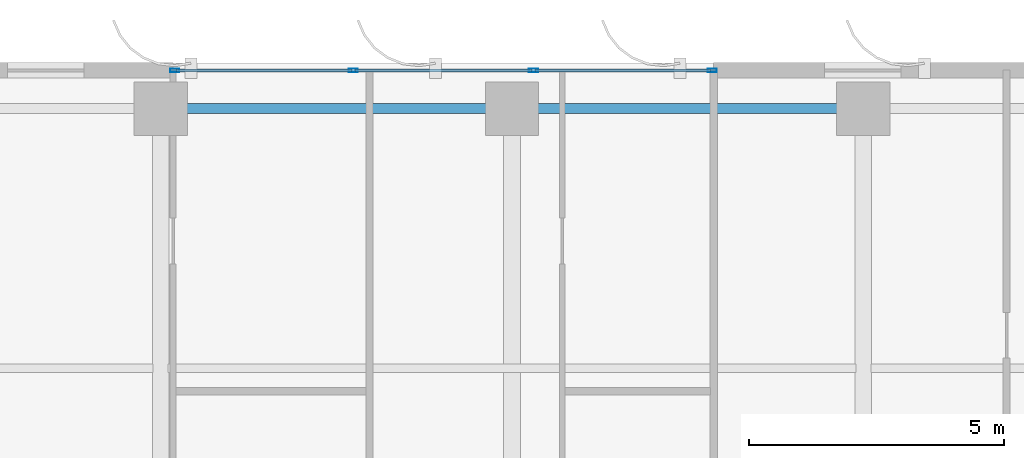
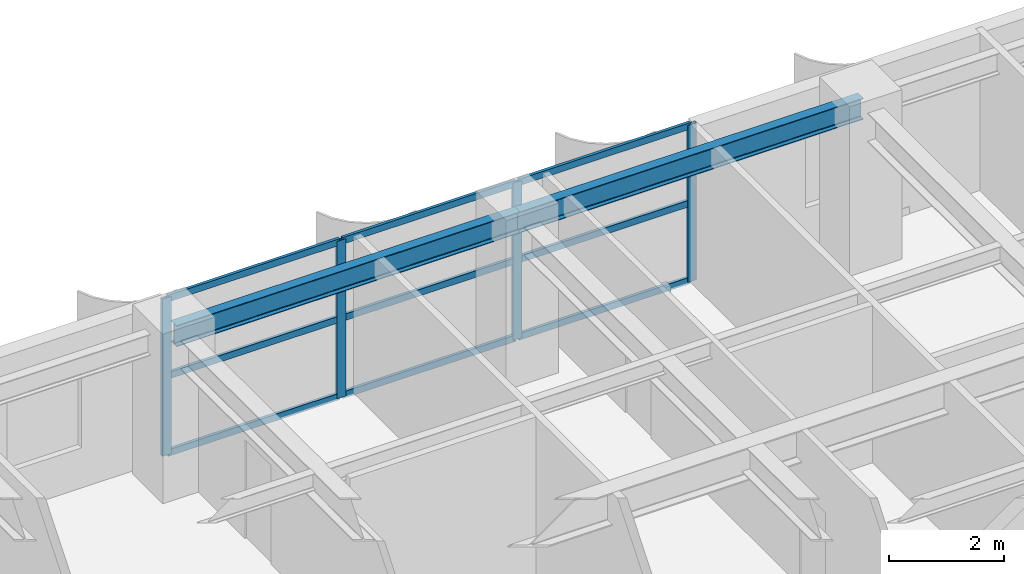
# One storey, part 10 of 19: 13 members, 2 beams, 1 element without a shape of its own.
"""IFC4 building model written with IfcOpenShell, lengths in metres."""

from ifc_helpers import new_model, si_unit, direction, frame, origin, origin_2d, place, context, subcontext, project, spatial, hollow_rectangle, i_section, extrude, source, transform, mapped, material, layer, layer_set, material_profile, profile_set, type_object, element, aggregate, save


model = new_model("IFC4")

# Units and contexts
model_context = context("Model", 3, precision=1e-05, world=origin(), true_north=direction((0.0, 1.0)))
body_context = subcontext(model_context, "Body", "Model", "MODEL_VIEW")
ifc_project = project(units=[si_unit("LENGTHUNIT", "METRE"), si_unit("AREAUNIT", "SQUARE_METRE"), si_unit("VOLUMEUNIT", "CUBIC_METRE"), si_unit("PLANEANGLEUNIT", "RADIAN"), si_unit("MASSUNIT", "GRAM", prefix="KILO")], contexts=[model_context])

# Site, building, storey
site_placement = place(None, origin())
site = spatial("IfcSite", under=ifc_project, at=site_placement, CompositionType="ELEMENT")
building_placement = place(site_placement, origin())
building = spatial("IfcBuilding", under=site, at=building_placement, Name="Khoralis Quay Care Tower", CompositionType="ELEMENT")
storey_placement = place(building_placement, frame((0.0, 0.0, 90.89990234375)))
storey = spatial("IfcBuildingStorey", under=building, at=storey_placement, Name="L23", CompositionType="ELEMENT", Elevation=90.89990234375)

# Beams
ifc_material_1 = material(Name="Steel S355", Category="steel")
ifc_material_profile_1 = material_profile(ifc_material_1, i_section(OverallWidth=0.18994140625, OverallDepth=0.449951171875, WebThickness=0.009521484375, FlangeThickness=0.0146484375, FilletRadius=0.02099609375, at=origin_2d()), Name="Steel S355")
ifc_profile_set_1 = profile_set([ifc_material_profile_1], Name="Steel S355")
beam_type = type_object("IfcBeamType", Name="BM-IPE450", PredefinedType="SPANDREL", material=ifc_profile_set_1)
shared_shape_1 = source(origin(), body_context, "Body", "SweptSolid", [
    extrude(i_section(OverallWidth=0.18994140625, OverallDepth=0.449951171875, WebThickness=0.009521484375, FlangeThickness=0.0146484375, FilletRadius=0.02099609375, at=origin_2d()), origin(), (0.0, 0.0, 1.0), 6.89990234375),
])
for number, where, z_axis, x_axis, name in (
    (1, (17.10009765625, 44.10009765625, 3.114990234375), (1.0, 0.0, 0.0), (0.0, 1.0, 0.0), "BM-TSP-L23-08"),
    (2, (24.0, 44.10009765625, 3.114990234375), (1.0, 0.0, 0.0), (0.0, 1.0, 0.0), "BM-TSP-L23-09"),
):
    element("IfcBeam", number, at=place(storey_placement, frame(where, z_axis=z_axis, x_axis=x_axis)), inside=storey, type_object=beam_type, Name=name, PredefinedType="SPANDREL", context=body_context, shape_type="MappedRepresentation", body=[
        mapped(shared_shape_1, transform((0.0, 0.0, 0.0), scale=1.0)),
    ])

# Curtain wall, members
ifc_material_2 = material(Name="Pale anodised aluminium", Category="aluminium")
ifc_layer = layer(ifc_material_2, 0.169921875)
ifc_layer_set = layer_set([ifc_layer], Name="Pale anodised aluminium")
curtain_wall_type = type_object("IfcCurtainWallType", Name="CW-SYS-Z2", PredefinedType="NOTDEFINED", material=ifc_layer_set)
curtain_wall_placement = place(storey_placement, origin())
curtain_wall = element("IfcCurtainWall", 3, at=curtain_wall_placement, inside=storey, type_object=curtain_wall_type, Name="L23 Unitised Curtain Wall CW-L23-P1-E10", PredefinedType="NOTDEFINED")
ifc_material_profile_2 = material_profile(ifc_material_2, hollow_rectangle(XDim=0.06494140625, YDim=0.179931640625, WallThickness=0.00390625, at=origin_2d()), Name="Pale anodised aluminium")
ifc_profile_set_2 = profile_set([ifc_material_profile_2], Name="Pale anodised aluminium")
member_type_1 = type_object("IfcMemberType", Name="CW-MUL-180", PredefinedType="MULLION", material=ifc_profile_set_2)
shared_shape_2 = source(origin(), body_context, "Body", "SweptSolid", [
    extrude(hollow_rectangle(XDim=0.06494140625, YDim=0.179931640625, WallThickness=0.00390625, at=origin_2d()), origin(), (0.0, 0.0, 1.0), 3.340087890625),
])
member_1_placement = place(storey_placement, frame((27.929931640625, 44.85009765625, 0.0), z_axis=(0.0, 0.0, 1.0), x_axis=(0.0, -1.0, 0.0)))
member_1 = element("IfcMember", 4, at=member_1_placement, type_object=member_type_1, Name="CW2 mullion 1", PredefinedType="MULLION", context=body_context, shape_type="MappedRepresentation", body=[
    mapped(shared_shape_2, transform((0.0, 0.0, 0.0), scale=1.0)),
])
member_2_placement = place(storey_placement, frame((24.422119140625, 44.85009765625, 0.0), z_axis=(0.0, 0.0, 1.0), x_axis=(0.0, -1.0, 0.0)))
member_2 = element("IfcMember", 5, at=member_2_placement, type_object=member_type_1, Name="CW2 mullion 2", PredefinedType="MULLION", context=body_context, shape_type="MappedRepresentation", body=[
    mapped(shared_shape_2, transform((0.0, 0.0, 0.0), scale=1.0)),
])
member_3_placement = place(storey_placement, frame((20.884033203125, 44.85009765625, 0.0), z_axis=(0.0, 0.0, 1.0), x_axis=(0.0, -1.0, 0.0)))
member_3 = element("IfcMember", 6, at=member_3_placement, type_object=member_type_1, Name="CW2 mullion 3", PredefinedType="MULLION", context=body_context, shape_type="MappedRepresentation", body=[
    mapped(shared_shape_2, transform((0.0, 0.0, 0.0), scale=1.0)),
])
member_4_placement = place(storey_placement, frame((17.3759765625, 44.85009765625, 0.0), z_axis=(0.0, 0.0, 1.0), x_axis=(0.0, -1.0, 0.0)))
member_4 = element("IfcMember", 7, at=member_4_placement, type_object=member_type_1, Name="CW2 mullion 4", PredefinedType="MULLION", context=body_context, shape_type="MappedRepresentation", body=[
    mapped(shared_shape_2, transform((0.0, 0.0, 0.0), scale=1.0)),
])
ifc_material_profile_3 = material_profile(ifc_material_2, hollow_rectangle(XDim=0.06005859375, YDim=0.139892578125, WallThickness=0.00390625, at=origin_2d()), Name="Pale anodised aluminium")
ifc_profile_set_3 = profile_set([ifc_material_profile_3], Name="Pale anodised aluminium")
member_type_2 = type_object("IfcMemberType", Name="CW-TRN-140", PredefinedType="USERDEFINED", material=ifc_profile_set_3)
shared_shape_3 = source(origin(), body_context, "Body", "SweptSolid", [
    extrude(hollow_rectangle(XDim=0.06005859375, YDim=0.139892578125, WallThickness=0.00390625, at=origin_2d()), origin(), (0.0, 0.0, 1.0), 3.447998046875),
])
member_5_placement = place(storey_placement, frame((27.89990234375, 44.85009765625, 0.030029296875), z_axis=(-1.0, 0.0, 0.0), x_axis=(0.0, -1.0, 0.0)))
member_5 = element("IfcMember", 8, at=member_5_placement, type_object=member_type_2, Name="CW2 transom 1.1", ObjectType="TRANSOM", PredefinedType="USERDEFINED", context=body_context, shape_type="MappedRepresentation", body=[
    mapped(shared_shape_3, transform((0.0, 0.0, 0.0), scale=1.0)),
])
member_6_placement = place(storey_placement, frame((27.89990234375, 44.85009765625, 1.670166015625), z_axis=(-1.0, 0.0, 0.0), x_axis=(0.0, -1.0, 0.0)))
member_6 = element("IfcMember", 9, at=member_6_placement, type_object=member_type_2, Name="CW2 transom 1.2", ObjectType="TRANSOM", PredefinedType="USERDEFINED", context=body_context, shape_type="MappedRepresentation", body=[
    mapped(shared_shape_3, transform((0.0, 0.0, 0.0), scale=1.0)),
])
member_7_placement = place(storey_placement, frame((27.89990234375, 44.85009765625, 3.31005859375), z_axis=(-1.0, 0.0, 0.0), x_axis=(0.0, -1.0, 0.0)))
member_7 = element("IfcMember", 10, at=member_7_placement, type_object=member_type_2, Name="CW2 transom 1.3", ObjectType="TRANSOM", PredefinedType="USERDEFINED", context=body_context, shape_type="MappedRepresentation", body=[
    mapped(shared_shape_3, transform((0.0, 0.0, 0.0), scale=1.0)),
])
member_8_placement = place(storey_placement, frame((20.85400390625, 44.85009765625, 0.030029296875), z_axis=(-1.0, 0.0, 0.0), x_axis=(0.0, -1.0, 0.0)))
member_8 = element("IfcMember", 11, at=member_8_placement, type_object=member_type_2, Name="CW2 transom 3.1", ObjectType="TRANSOM", PredefinedType="USERDEFINED", context=body_context, shape_type="MappedRepresentation", body=[
    mapped(shared_shape_3, transform((0.0, 0.0, 0.0), scale=1.0)),
])
member_9_placement = place(storey_placement, frame((20.85400390625, 44.85009765625, 1.670166015625), z_axis=(-1.0, 0.0, 0.0), x_axis=(0.0, -1.0, 0.0)))
member_9 = element("IfcMember", 12, at=member_9_placement, type_object=member_type_2, Name="CW2 transom 3.2", ObjectType="TRANSOM", PredefinedType="USERDEFINED", context=body_context, shape_type="MappedRepresentation", body=[
    mapped(shared_shape_3, transform((0.0, 0.0, 0.0), scale=1.0)),
])
member_10_placement = place(storey_placement, frame((20.85400390625, 44.85009765625, 3.31005859375), z_axis=(-1.0, 0.0, 0.0), x_axis=(0.0, -1.0, 0.0)))
member_10 = element("IfcMember", 13, at=member_10_placement, type_object=member_type_2, Name="CW2 transom 3.3", ObjectType="TRANSOM", PredefinedType="USERDEFINED", context=body_context, shape_type="MappedRepresentation", body=[
    mapped(shared_shape_3, transform((0.0, 0.0, 0.0), scale=1.0)),
])
shared_shape_4 = source(origin(), body_context, "Body", "SweptSolid", [
    extrude(hollow_rectangle(XDim=0.06005859375, YDim=0.139892578125, WallThickness=0.00390625, at=origin_2d()), origin(), (0.0, 0.0, 1.0), 3.47802734375),
])
member_11_placement = place(storey_placement, frame((24.39208984375, 44.85009765625, 0.030029296875), z_axis=(-1.0, 0.0, 0.0), x_axis=(0.0, -1.0, 0.0)))
member_11 = element("IfcMember", 14, at=member_11_placement, type_object=member_type_2, Name="CW2 transom 2.1", ObjectType="TRANSOM", PredefinedType="USERDEFINED", context=body_context, shape_type="MappedRepresentation", body=[
    mapped(shared_shape_4, transform((0.0, 0.0, 0.0), scale=1.0)),
])
member_12_placement = place(storey_placement, frame((24.39208984375, 44.85009765625, 1.670166015625), z_axis=(-1.0, 0.0, 0.0), x_axis=(0.0, -1.0, 0.0)))
member_12 = element("IfcMember", 15, at=member_12_placement, type_object=member_type_2, Name="CW2 transom 2.2", ObjectType="TRANSOM", PredefinedType="USERDEFINED", context=body_context, shape_type="MappedRepresentation", body=[
    mapped(shared_shape_4, transform((0.0, 0.0, 0.0), scale=1.0)),
])
member_13_placement = place(storey_placement, frame((24.39208984375, 44.85009765625, 3.31005859375), z_axis=(-1.0, 0.0, 0.0), x_axis=(0.0, -1.0, 0.0)))
member_13 = element("IfcMember", 16, at=member_13_placement, type_object=member_type_2, Name="CW2 transom 2.3", ObjectType="TRANSOM", PredefinedType="USERDEFINED", context=body_context, shape_type="MappedRepresentation", body=[
    mapped(shared_shape_4, transform((0.0, 0.0, 0.0), scale=1.0)),
])
aggregate(curtain_wall, [member_1, member_2, member_3, member_4, member_5, member_6, member_7, member_11, member_12, member_13, member_8, member_9, member_10])

save(model, "model.ifc")
